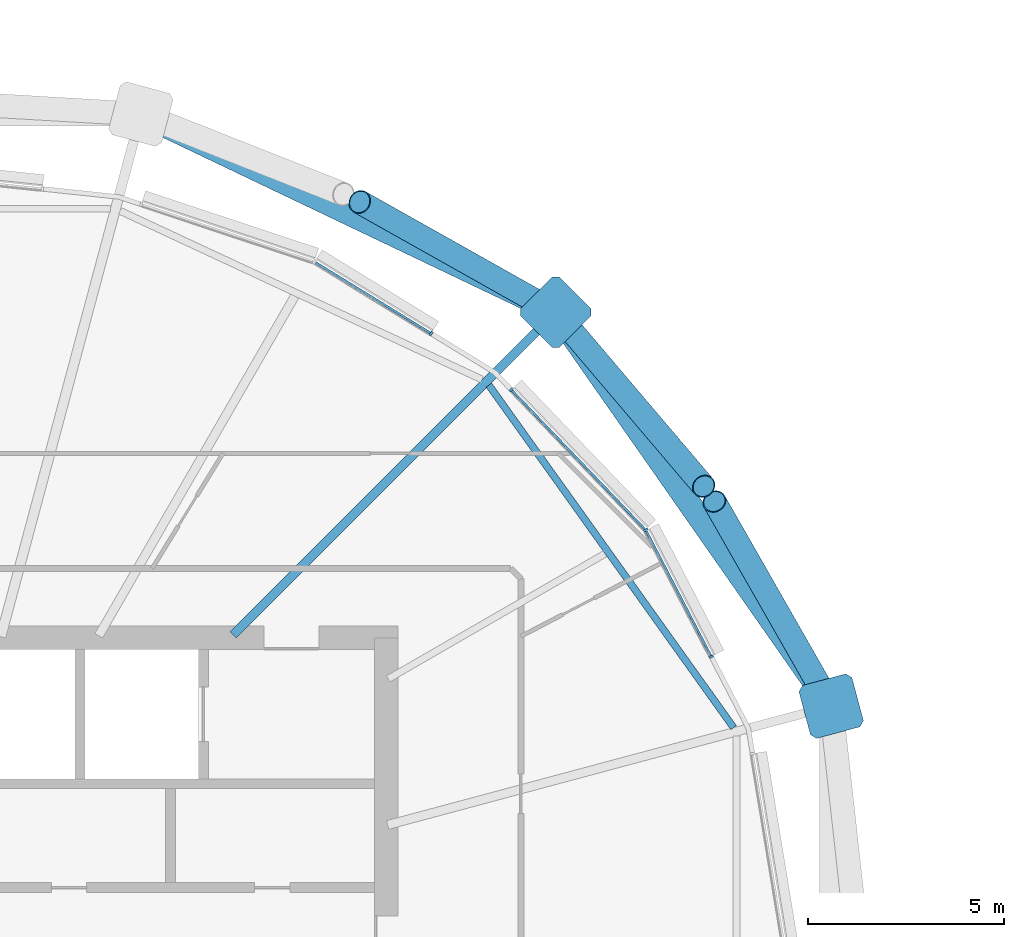
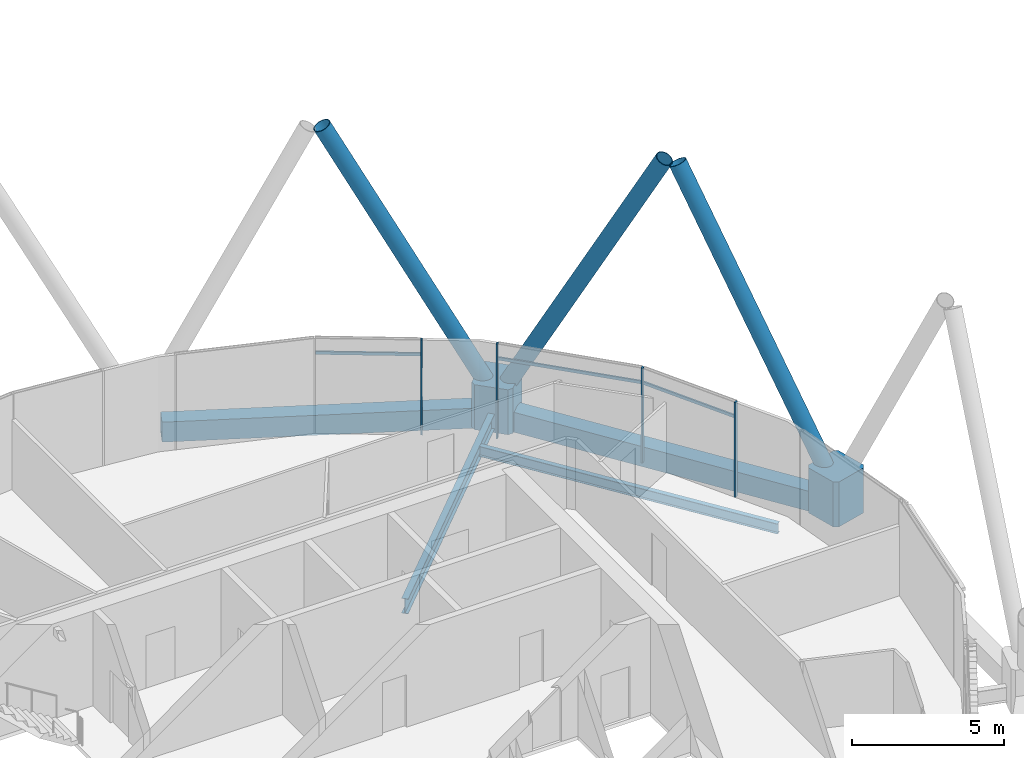
# One storey, part 12 of 37: 12 members, 4 beams, 1 element without a shape of its own.
"""IFC4 building model written with IfcOpenShell, lengths in metres."""

from ifc_helpers import new_model, si_unit, direction, frame, origin, origin_2d, place, context, subcontext, project, spatial, polyline, rectangle, hollow_rectangle, hollow_circle, i_section, outline, extrude, material, material_profile, profile_set, type_object, element, aggregate, save


model = new_model("IFC4")

# Units and contexts
model_context = context("Model", 3, precision=1e-05, world=origin(), true_north=direction((0.0, 1.0)))
body_context = subcontext(model_context, "Body", "Model", "MODEL_VIEW")
ifc_project = project(units=[si_unit("LENGTHUNIT", "METRE"), si_unit("AREAUNIT", "SQUARE_METRE"), si_unit("VOLUMEUNIT", "CUBIC_METRE"), si_unit("PLANEANGLEUNIT", "RADIAN"), si_unit("MASSUNIT", "GRAM", prefix="KILO")], contexts=[model_context])

# Site, building, storey
site_placement = place(None, origin())
site = spatial("IfcSite", under=ifc_project, at=site_placement, CompositionType="ELEMENT")
building_placement = place(site_placement, origin())
building = spatial("IfcBuilding", under=site, at=building_placement, Name="Rimbun Link Towers", CompositionType="ELEMENT")
storey_placement = place(building_placement, frame((0.0, 0.0, 170.300048828125)))
storey = spatial("IfcBuildingStorey", under=building, at=storey_placement, Name="L41", CompositionType="ELEMENT", Elevation=170.300048828125)

# Curtain wall, members
ifc_material_1 = material(Name="Aluminium 6063-T6 and low-iron glass", Category="aluminium")
curtain_wall_type = type_object("IfcCurtainWallType", Name="CW1-Z3 unitised vision wall (zone 3)", PredefinedType="NOTDEFINED", material=ifc_material_1)
curtain_wall_placement = place(storey_placement, origin())
curtain_wall = element("IfcCurtainWall", 1, at=curtain_wall_placement, inside=storey, type_object=curtain_wall_type, Name="CW1 L41 T1", PredefinedType="NOTDEFINED")
ifc_material_2 = material(Name="Aluminium 6063-T6", Category="aluminium")
ifc_material_profile_1 = material_profile(ifc_material_2, rectangle(XDim=0.1201171875, YDim=0.06005859375, at=origin_2d()), Name="MULLION 60X120")
ifc_profile_set_1 = profile_set([ifc_material_profile_1], Name="Aluminium 6063-T6")
member_type_1 = type_object("IfcMemberType", Name="CW1 mullion 60X120", PredefinedType="MULLION", material=ifc_profile_set_1)
member_1_placement = place(storey_placement, frame((-13.127685546875, 10.75830078125, 0.0), z_axis=(0.0, 0.0, 1.0), x_axis=(0.813350034024, 0.581774631754, 0.0)))
member_1 = element("IfcMember", 2, at=member_1_placement, type_object=member_type_1, Name="CW1 mullion", PredefinedType="MULLION", context=body_context, shape_type="SweptSolid", body=[
    extrude(rectangle(XDim=0.1201171875, YDim=0.06005859375, at=origin_2d()), origin(), (0.0, 0.0, 1.0), 3.800048828125),
])
member_2_placement = place(storey_placement, frame((-11.45361328125, 7.524658203125, 0.0), z_axis=(0.0, 0.0, 1.0), x_axis=(0.888147060993, 0.459559352042, 0.0)))
member_2 = element("IfcMember", 3, at=member_2_placement, type_object=member_type_1, Name="CW1 mullion", PredefinedType="MULLION", context=body_context, shape_type="SweptSolid", body=[
    extrude(rectangle(XDim=0.1201171875, YDim=0.06005859375, at=origin_2d()), origin(), (0.0, 0.0, 1.0), 3.800048828125),
])
member_3_placement = place(storey_placement, frame((-16.56005859375, 14.339599609375, 0.0), z_axis=(0.0, 0.0, 1.0), x_axis=(0.721853979368, 0.692045397695, 0.0)))
member_3 = element("IfcMember", 4, at=member_3_placement, type_object=member_type_1, Name="CW1 mullion", PredefinedType="MULLION", context=body_context, shape_type="SweptSolid", body=[
    extrude(rectangle(XDim=0.1201171875, YDim=0.06005859375, at=origin_2d()), origin(), (0.0, 0.0, 1.0), 3.800048828125),
])
member_4_placement = place(storey_placement, frame((-18.6064453125, 15.776611328125, 0.0), z_axis=(0.0, 0.0, 1.0), x_axis=(0.523231382934, 0.852190659368, 0.0)))
member_4 = element("IfcMember", 5, at=member_4_placement, type_object=member_type_1, Name="CW1 mullion", PredefinedType="MULLION", context=body_context, shape_type="SweptSolid", body=[
    extrude(rectangle(XDim=0.1201171875, YDim=0.06005859375, at=origin_2d()), origin(), (0.0, 0.0, 1.0), 3.800048828125),
])
ifc_material_3 = material(Name="Aluminium 6063-T6", Category="aluminium")
ifc_material_profile_2 = material_profile(ifc_material_3, rectangle(XDim=0.06005859375, YDim=0.1201171875, at=origin_2d()), Name="TRANSOM 60X120")
ifc_profile_set_2 = profile_set([ifc_material_profile_2], Name="Aluminium 6063-T6")
member_type_2 = type_object("IfcMemberType", Name="CW1 transom 60X120", PredefinedType="USERDEFINED", material=ifc_profile_set_2)
member_5_placement = place(storey_placement, frame((-13.111083984375, 10.723388671875, 3.199951171875), z_axis=(0.459580937927, -0.888135891345, 0.0), x_axis=(0.888135891345, 0.459580937927, 0.0)))
member_5 = element("IfcMember", 6, at=member_5_placement, type_object=member_type_2, Name="CW1 transom", ObjectType="TRANSOM", PredefinedType="USERDEFINED", context=body_context, shape_type="SweptSolid", body=[
    extrude(rectangle(XDim=0.06005859375, YDim=0.1201171875, at=origin_2d()), origin(), (0.0, 0.0, 1.0), 3.572509765625),
])
member_6_placement = place(storey_placement, frame((-16.540771484375, 14.316650390625, 3.199951171875), z_axis=(0.692052764793, -0.721846916418, 0.0), x_axis=(0.721846916418, 0.692052764793, 0.0)))
member_6 = element("IfcMember", 7, at=member_6_placement, type_object=member_type_2, Name="CW1 transom", ObjectType="TRANSOM", PredefinedType="USERDEFINED", context=body_context, shape_type="SweptSolid", body=[
    extrude(rectangle(XDim=0.06005859375, YDim=0.1201171875, at=origin_2d()), origin(), (0.0, 0.0, 1.0), 4.891845703125),
])
member_7_placement = place(storey_placement, frame((-21.5595703125, 17.58740234375, 3.199951171875), z_axis=(0.852185129283, -0.523240389716, 0.0), x_axis=(0.523240389716, 0.852185129283, 0.0)))
member_7 = element("IfcMember", 8, at=member_7_placement, type_object=member_type_2, Name="CW1 transom", ObjectType="TRANSOM", PredefinedType="USERDEFINED", context=body_context, shape_type="SweptSolid", body=[
    extrude(rectangle(XDim=0.06005859375, YDim=0.1201171875, at=origin_2d()), origin(), (0.0, 0.0, 1.0), 3.43408203125),
])
aggregate(curtain_wall, [member_1, member_2, member_3, member_4, member_5, member_6, member_7])

# Members
ifc_material_4 = material(Name="Steel S355J2H", Category="steel")
ifc_material_profile_3 = material_profile(ifc_material_4, hollow_circle(Radius=0.3046875, WallThickness=0.02490234375, at=origin_2d()), Name="Diagrid diagonal CHS 610x25")
ifc_profile_set_3 = profile_set([ifc_material_profile_3], Name="Steel S355J2H")
member_type_3 = type_object("IfcMemberType", Name="Diagrid diagonal CHS 610x25", PredefinedType="BRACE", material=ifc_profile_set_3)
member_8_placement = place(storey_placement, frame((-8.510986328125, 6.468017578125, 0.438232421875), z_axis=(-0.238567263313, 0.41795536575, 0.876583694302), x_axis=(-0.868479686328, -0.49572475673, 0.0)))
element("IfcMember", 9, at=member_8_placement, inside=storey, type_object=member_type_3, Name="Diagrid diagonal T1 L41-L44 01b", PredefinedType="BRACE", context=body_context, shape_type="SweptSolid", body=[
    extrude(hollow_circle(Radius=0.3046875, WallThickness=0.02490234375, at=origin_2d()), origin(), (0.0, 0.0, 1.0), 12.005126953125),
])
member_9_placement = place(storey_placement, frame((-15.275390625, 16.14306640625, 0.441162109375), z_axis=(0.304496138641, -0.358253648416, 0.882573750431), x_axis=(0.761959744165, 0.647624388262, 0.0)))
element("IfcMember", 10, at=member_9_placement, inside=storey, type_object=member_type_3, Name="Diagrid diagonal T1 L41-L44 03a", PredefinedType="BRACE", context=body_context, shape_type="SweptSolid", body=[
    extrude(hollow_circle(Radius=0.3046875, WallThickness=0.02490234375, at=origin_2d()), origin(), (0.0, 0.0, 1.0), 11.9169921875),
])
member_10_placement = place(storey_placement, frame((-15.630126953125, 16.435791015625, 0.44287109375), z_axis=(-0.404647513126, 0.227507536986, 0.885720447283), x_axis=(-0.490086644612, -0.871673723806, 0.0)))
element("IfcMember", 11, at=member_10_placement, inside=storey, type_object=member_type_3, Name="Diagrid diagonal T1 L41-L44 03b", PredefinedType="BRACE", context=body_context, shape_type="SweptSolid", body=[
    extrude(hollow_circle(Radius=0.3046875, WallThickness=0.02490234375, at=origin_2d()), origin(), (0.0, 0.0, 1.0), 11.870849609375),
])
ifc_material_5 = material(Name="Cast steel G20Mn5+QT, Rp0.2 300 MPa", Category="steel")
ifc_material_profile_4 = material_profile(ifc_material_5, outline(polyline([(0.699951171875, -0.570068359375), (0.699951171875, 0.570068359375), (0.570068359375, 0.699951171875), (-0.570068359375, 0.699951171875), (-0.699951171875, 0.570068359375), (-0.699951171875, -0.570068359375), (-0.570068359375, -0.699951171875), (0.570068359375, -0.699951171875), (0.699951171875, -0.570068359375)])), Name="NODE 1400x1400")
ifc_profile_set_4 = profile_set([ifc_material_profile_4], Name="Cast steel G20Mn5+QT, Rp0.2 300 MPa")
member_type_4 = type_object("IfcMemberType", Name="Diagrid node cast 1400", PredefinedType="USERDEFINED", material=ifc_profile_set_4)
for number, where, z_axis, x_axis, name in (
    (12, (-8.3916015625, 6.2587890625, -0.900146484375), (0.0, 0.0, 1.0), (0.965925826289, 0.258819045103, 0.0), "Diagrid node L41 01"),
    (13, (-15.427734375, 16.322265625, -0.900146484375), (0.0, 0.0, 1.0), (0.707106781187, 0.707106781187, 0.0), "Diagrid node L41 03"),
):
    element("IfcMember", number, at=place(storey_placement, frame(where, z_axis=z_axis, x_axis=x_axis)), inside=storey, type_object=member_type_4, Name=name, ObjectType="Diagrid node", PredefinedType="USERDEFINED", context=body_context, shape_type="SweptSolid", body=[
        extrude(outline(polyline([(0.699951171875, -0.570068359375), (0.699951171875, 0.570068359375), (0.570068359375, 0.699951171875), (-0.570068359375, 0.699951171875), (-0.699951171875, 0.570068359375), (-0.699951171875, -0.570068359375), (-0.570068359375, -0.699951171875), (0.570068359375, -0.699951171875), (0.699951171875, -0.570068359375)])), origin(), (0.0, 0.0, 1.0), 1.800048828125),
    ])

# Beams
ifc_material_6 = material(Name="Steel S355J2", Category="steel")
ifc_material_profile_5 = material_profile(ifc_material_6, hollow_rectangle(XDim=0.60009765625, YDim=0.800048828125, WallThickness=0.0400390625, at=origin_2d()), Name="Exoskeleton ring girder BOX 600x800x40")
ifc_profile_set_5 = profile_set([ifc_material_profile_5], Name="Steel S355J2")
beam_type_1 = type_object("IfcBeamType", Name="Exoskeleton ring girder BOX 600x800x40", PredefinedType="BEAM", material=ifc_profile_set_5)
beam_1_placement = place(storey_placement, frame((-8.792724609375, 6.83251953125, -0.56005859375), z_axis=(-0.573010423407, 0.819548079534, 0.0), x_axis=(-0.819548079534, -0.573010423407, 0.0)))
element("IfcBeam", 14, at=beam_1_placement, inside=storey, type_object=beam_type_1, Name="Exoskeleton ring girder L41 00", PredefinedType="BEAM", context=body_context, shape_type="SweptSolid", body=[
    extrude(hollow_rectangle(XDim=0.60009765625, YDim=0.800048828125, WallThickness=0.0400390625, at=origin_2d()), origin(), (0.0, 0.0, 1.0), 10.879150390625),
])
beam_2_placement = place(storey_placement, frame((-16.0595703125, 16.623779296875, -0.56005859375), z_axis=(-0.902420946705, 0.430855468746, 0.0), x_axis=(-0.430855468746, -0.902420946705, 0.0)))
element("IfcBeam", 15, at=beam_2_placement, inside=storey, type_object=beam_type_1, Name="Exoskeleton ring girder L41 01", PredefinedType="BEAM", context=body_context, shape_type="SweptSolid", body=[
    extrude(hollow_rectangle(XDim=0.60009765625, YDim=0.800048828125, WallThickness=0.0400390625, at=origin_2d()), origin(), (0.0, 0.0, 1.0), 10.3388671875),
])
ifc_material_7 = material(Name="Steel S355J2", Category="steel")
ifc_material_profile_6 = material_profile(ifc_material_7, i_section(OverallWidth=0.177978515625, OverallDepth=0.406494140625, WebThickness=0.0078125, FlangeThickness=0.0126953125, at=origin_2d()), Name="UB 406x178x60")
ifc_profile_set_6 = profile_set([ifc_material_profile_6], Name="Steel S355J2")
beam_type_2 = type_object("IfcBeamType", Name="UB 406x178x60", PredefinedType="BEAM", material=ifc_profile_set_6)
beam_3_placement = place(storey_placement, frame((-10.88330078125, 5.7099609375, -0.353271484375), z_axis=(-0.581433701753, 0.813593787136, 0.0), x_axis=(-0.813593787136, -0.581433701753, 0.0)))
element("IfcBeam", 16, at=beam_3_placement, inside=storey, type_object=beam_type_2, Name="Edge beam T1 L41 01-03", PredefinedType="BEAM", context=body_context, shape_type="SweptSolid", body=[
    extrude(i_section(OverallWidth=0.177978515625, OverallDepth=0.406494140625, WebThickness=0.0078125, FlangeThickness=0.0126953125, at=origin_2d()), origin(), (0.0, 0.0, 1.0), 10.74853515625),
])
ifc_material_8 = material(Name="Steel S355J2", Category="steel")
ifc_material_profile_7 = material_profile(ifc_material_8, i_section(OverallWidth=0.2275390625, OverallDepth=0.6025390625, WebThickness=0.010498046875, FlangeThickness=0.014892578125, at=origin_2d()), Name="UB 610x229x101")
ifc_profile_set_7 = profile_set([ifc_material_profile_7], Name="Steel S355J2")
beam_type_3 = type_object("IfcBeamType", Name="UB 610x229x101", PredefinedType="BEAM", material=ifc_profile_set_7)
beam_4_placement = place(storey_placement, frame((-23.668701171875, 8.081298828125, -0.451416015625), z_axis=(0.707106781187, 0.707106781187, 0.0), x_axis=(-0.707106781187, 0.707106781187, 0.0)))
element("IfcBeam", 17, at=beam_4_placement, inside=storey, type_object=beam_type_3, Name="Radial beam T1 L41 03", PredefinedType="BEAM", context=body_context, shape_type="SweptSolid", body=[
    extrude(i_section(OverallWidth=0.2275390625, OverallDepth=0.6025390625, WebThickness=0.010498046875, FlangeThickness=0.014892578125, at=origin_2d()), origin(), (0.0, 0.0, 1.0), 11.154296875),
])

save(model, "model.ifc")
